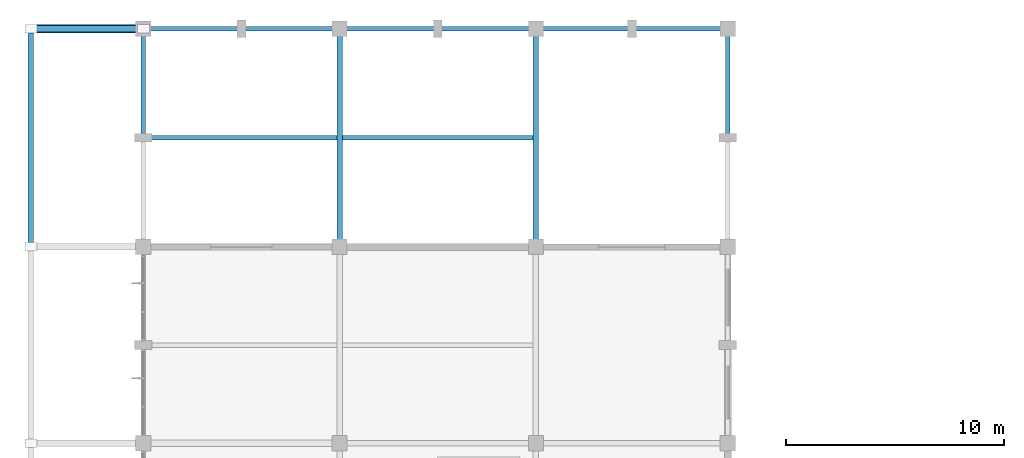
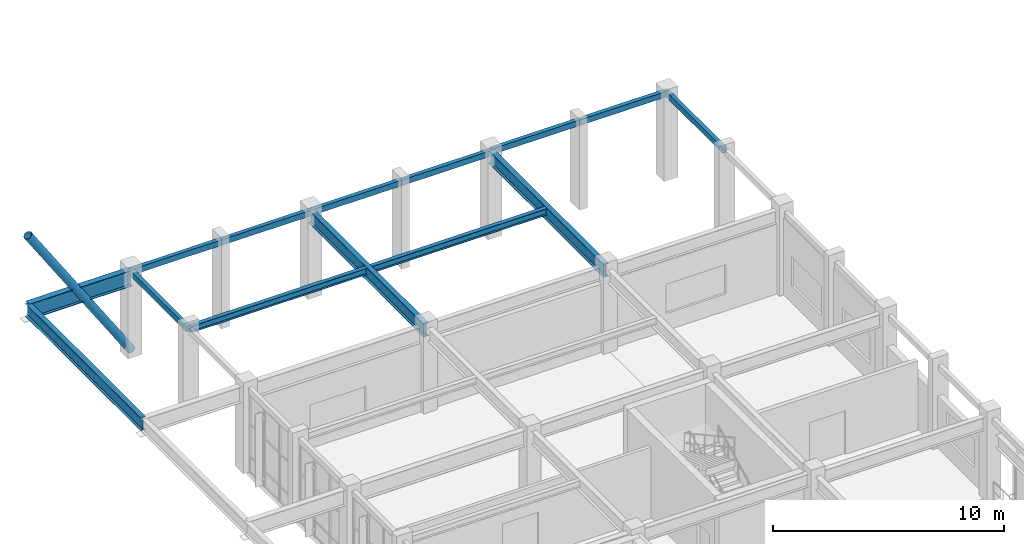
# One storey, part 38 of 99: 14 beams, 1 member.
"""IFC4 building model written with IfcOpenShell, lengths in metres."""

from ifc_helpers import new_model, si_unit, direction, frame, origin, origin_2d, place, context, subcontext, project, spatial, hollow_rectangle, hollow_circle, i_section, extrude, material, material_profile, profile_set, type_object, element, save


model = new_model("IFC4")

# Units and contexts
model_context = context("Model", 3, precision=1e-05, world=origin(), true_north=direction((0.0, 1.0)))
body_context = subcontext(model_context, "Body", "Model", "MODEL_VIEW")
ifc_project = project(units=[si_unit("LENGTHUNIT", "METRE"), si_unit("AREAUNIT", "SQUARE_METRE"), si_unit("VOLUMEUNIT", "CUBIC_METRE"), si_unit("PLANEANGLEUNIT", "RADIAN"), si_unit("MASSUNIT", "GRAM", prefix="KILO")], contexts=[model_context])

# Site, building, storey
site_placement = place(None, origin())
site = spatial("IfcSite", under=ifc_project, at=site_placement, CompositionType="ELEMENT")
building_placement = place(site_placement, origin())
building = spatial("IfcBuilding", under=site, at=building_placement, Name="Ventoquebrada Cableway Terminal", CompositionType="ELEMENT")
storey_placement = place(building_placement, frame((0.0, 0.0, 9.60009765625)))
storey = spatial("IfcBuildingStorey", under=building, at=storey_placement, Name="L02", CompositionType="ELEMENT", Elevation=9.60009765625)

# Beams
ifc_material_1 = material(Name="Steel ASTM A992 Grade 50", Category="steel")
ifc_material_profile_1 = material_profile(ifc_material_1, i_section(OverallWidth=0.25390625, OverallDepth=0.68798828125, WebThickness=0.01318359375, FlangeThickness=0.02099609375, at=origin_2d()), Name="W27X102")
ifc_profile_set_1 = profile_set([ifc_material_profile_1], Name="Steel ASTM A992 Grade 50")
beam_type_1 = type_object("IfcBeamType", Name="BM-ST04", PredefinedType="BEAM", material=ifc_profile_set_1)
for number, where, z_axis, x_axis, name in (
    (1, (17.199951171875, 104.0, 4.120849609375), (0.0, 1.0, 0.0), (-1.0, 0.0, 0.0), "Primary frame girder FBM-0473"),
    (2, (26.199951171875, 104.0, 4.120849609375), (0.0, 1.0, 0.0), (-1.0, 0.0, 0.0), "Primary frame girder FBM-0478"),
    (3, (3.050048828125, 104.0, 4.120849609375), (0.0, 1.0, 0.0), (-1.0, 0.0, 0.0), "Cantilever edge girder CB-009"),
):
    element("IfcBeam", number, at=place(storey_placement, frame(where, z_axis=z_axis, x_axis=x_axis)), inside=storey, type_object=beam_type_1, Name=name, PredefinedType="BEAM", context=body_context, shape_type="SweptSolid", body=[
        extrude(i_section(OverallWidth=0.25390625, OverallDepth=0.68798828125, WebThickness=0.01318359375, FlangeThickness=0.02099609375, at=origin_2d()), origin(), (0.0, 0.0, 1.0), 10.0),
    ])
ifc_material_profile_2 = material_profile(ifc_material_1, i_section(OverallWidth=0.2919921875, OverallDepth=0.845947265625, WebThickness=0.015380859375, FlangeThickness=0.0244140625, at=origin_2d()), Name="W33X141")
ifc_profile_set_2 = profile_set([ifc_material_profile_2], Name="Steel ASTM A992 Grade 50")
beam_type_2 = type_object("IfcBeamType", Name="BM-ST06", PredefinedType="BEAM", material=ifc_profile_set_2)
beam_1_placement = place(storey_placement, frame((3.050048828125, 114.0, 4.0419921875), z_axis=(1.0, 0.0, 0.0), x_axis=(0.0, 1.0, 0.0)))
element("IfcBeam", 4, at=beam_1_placement, inside=storey, type_object=beam_type_2, Name="Cantilever belvedere girder CB-005", PredefinedType="BEAM", context=body_context, shape_type="SweptSolid", body=[
    extrude(i_section(OverallWidth=0.2919921875, OverallDepth=0.845947265625, WebThickness=0.015380859375, FlangeThickness=0.0244140625, at=origin_2d()), origin(), (0.0, 0.0, 1.0), 5.14990234375),
])
ifc_material_profile_3 = material_profile(ifc_material_1, i_section(OverallWidth=0.2041015625, OverallDepth=0.35009765625, WebThickness=0.008544921875, FlangeThickness=0.01513671875, at=origin_2d()), Name="W14X48")
ifc_profile_set_3 = profile_set([ifc_material_profile_3], Name="Steel ASTM A992 Grade 50")
beam_type_3 = type_object("IfcBeamType", Name="JST-ST05", PredefinedType="JOIST", material=ifc_profile_set_3)
beam_2_placement = place(storey_placement, frame((8.300048828125, 109.0, 4.289794921875), z_axis=(1.0, 0.0, 0.0), x_axis=(0.0, 1.0, 0.0)))
element("IfcBeam", 5, at=beam_2_placement, inside=storey, type_object=beam_type_3, Name="Secondary floor joist JB-018", PredefinedType="JOIST", context=body_context, shape_type="SweptSolid", body=[
    extrude(i_section(OverallWidth=0.2041015625, OverallDepth=0.35009765625, WebThickness=0.008544921875, FlangeThickness=0.01513671875, at=origin_2d()), origin(), (0.0, 0.0, 1.0), 8.77294921875),
])
beam_3_placement = place(storey_placement, frame((17.326904296875, 109.0, 4.289794921875), z_axis=(1.0, 0.0, 0.0), x_axis=(0.0, 1.0, 0.0)))
element("IfcBeam", 6, at=beam_3_placement, inside=storey, type_object=beam_type_3, Name="Secondary floor joist JB-021", PredefinedType="JOIST", context=body_context, shape_type="SweptSolid", body=[
    extrude(i_section(OverallWidth=0.2041015625, OverallDepth=0.35009765625, WebThickness=0.008544921875, FlangeThickness=0.01513671875, at=origin_2d()), origin(), (0.0, 0.0, 1.0), 8.74609375),
])
ifc_material_2 = material(Name="Steel ASTM A500 Grade C", Category="steel")
ifc_material_profile_4 = material_profile(ifc_material_2, hollow_rectangle(XDim=0.199951171875, YDim=0.300048828125, WallThickness=0.012451171875, at=origin_2d()), Name="RHS300X200X12.5")
ifc_profile_set_4 = profile_set([ifc_material_profile_4], Name="Steel ASTM A500 Grade C")
beam_type_4 = type_object("IfcBeamType", Name="SP-ST02", PredefinedType="SPANDREL", material=ifc_profile_set_4)
for number, where, z_axis, x_axis, name in (
    (7, (8.199951171875, 114.0, 4.31494140625), (1.0, 0.0, 0.0), (0.0, 1.0, 0.0), "Perimeter spandrel beam FBM-0453"),
    (8, (12.699951171875, 114.0, 4.31494140625), (1.0, 0.0, 0.0), (0.0, 1.0, 0.0), "Perimeter spandrel beam FBM-0454"),
    (9, (17.199951171875, 114.0, 4.31494140625), (1.0, 0.0, 0.0), (0.0, 1.0, 0.0), "Perimeter spandrel beam FBM-0455"),
    (10, (21.699951171875, 114.0, 4.31494140625), (1.0, 0.0, 0.0), (0.0, 1.0, 0.0), "Perimeter spandrel beam FBM-0456"),
):
    element("IfcBeam", number, at=place(storey_placement, frame(where, z_axis=z_axis, x_axis=x_axis)), inside=storey, type_object=beam_type_4, Name=name, PredefinedType="SPANDREL", context=body_context, shape_type="SweptSolid", body=[
        extrude(hollow_rectangle(XDim=0.199951171875, YDim=0.300048828125, WallThickness=0.012451171875, at=origin_2d()), origin(), (0.0, 0.0, 1.0), 4.5),
    ])
beam_4_placement = place(storey_placement, frame((26.199951171875, 114.0, 4.3798828125), z_axis=(1.0, 0.0, 0.0), x_axis=(0.0, 1.0, 0.0)))
element("IfcBeam", 11, at=beam_4_placement, inside=storey, type_object=beam_type_4, Name="Perimeter spandrel beam FBM-0457", PredefinedType="SPANDREL", context=body_context, shape_type="SweptSolid", body=[
    extrude(hollow_rectangle(XDim=0.199951171875, YDim=0.300048828125, WallThickness=0.012451171875, at=origin_2d()), origin(), (0.0, 0.0, 1.0), 4.400146484375),
])
beam_5_placement = place(storey_placement, frame((30.60009765625, 114.0, 4.3798828125), z_axis=(1.0, 0.0, 0.0), x_axis=(0.0, 1.0, 0.0)))
element("IfcBeam", 12, at=beam_5_placement, inside=storey, type_object=beam_type_4, Name="Perimeter spandrel beam FBM-0458", PredefinedType="SPANDREL", context=body_context, shape_type="SweptSolid", body=[
    extrude(hollow_rectangle(XDim=0.199951171875, YDim=0.300048828125, WallThickness=0.012451171875, at=origin_2d()), origin(), (0.0, 0.0, 1.0), 4.39990234375),
])
for number, where, z_axis, x_axis, name in (
    (13, (8.199951171875, 109.0, 4.31494140625), (0.0, 1.0, 0.0), (-1.0, 0.0, 0.0), "Perimeter spandrel beam FBM-0468"),
    (14, (35.0, 109.0, 4.3798828125), (0.0, 1.0, 0.0), (-1.0, 0.0, 0.0), "Perimeter spandrel beam FBM-0488"),
):
    element("IfcBeam", number, at=place(storey_placement, frame(where, z_axis=z_axis, x_axis=x_axis)), inside=storey, type_object=beam_type_4, Name=name, PredefinedType="SPANDREL", context=body_context, shape_type="SweptSolid", body=[
        extrude(hollow_rectangle(XDim=0.199951171875, YDim=0.300048828125, WallThickness=0.012451171875, at=origin_2d()), origin(), (0.0, 0.0, 1.0), 5.0),
    ])

# Member
ifc_material_profile_5 = material_profile(ifc_material_2, hollow_circle(Radius=0.203125, WallThickness=0.01611328125, at=origin_2d()), Name="CHS406.4X16")
ifc_profile_set_5 = profile_set([ifc_material_profile_5], Name="Steel ASTM A500 Grade C")
member_type = type_object("IfcMemberType", Name="STR-RK01", PredefinedType="STRUT", material=ifc_profile_set_5)
member_placement = place(storey_placement, frame((8.199951171875, 114.0, 0.199951171875), z_axis=(-0.550057998776, 0.0, 0.835126456282), x_axis=(0.0, -1.0, 0.0)))
element("IfcMember", 15, at=member_placement, inside=storey, type_object=member_type, Name="Cantilever steel raker strut RK-07", PredefinedType="STRUT", context=body_context, shape_type="SweptSolid", body=[
    extrude(hollow_circle(Radius=0.203125, WallThickness=0.01611328125, at=origin_2d()), origin(), (0.0, 0.0, 1.0), 9.362548828125),
])

save(model, "model.ifc")
